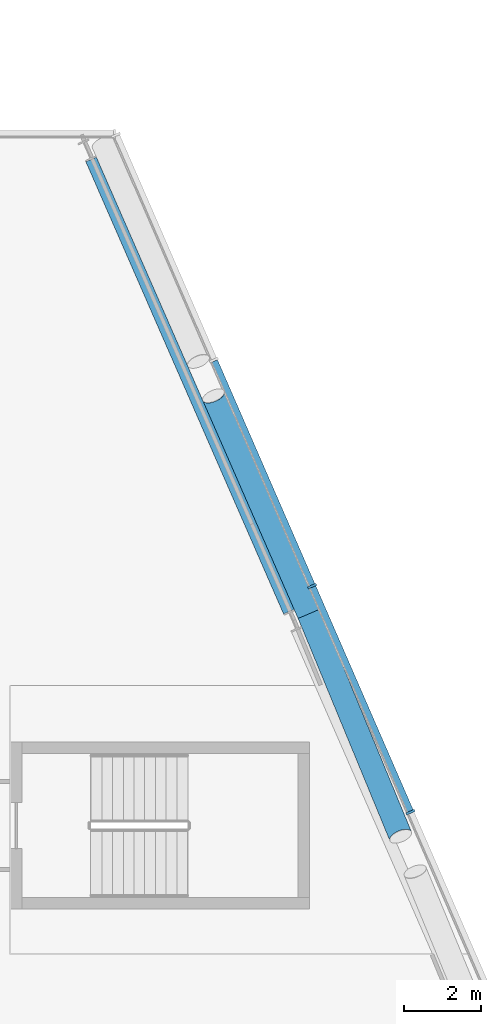
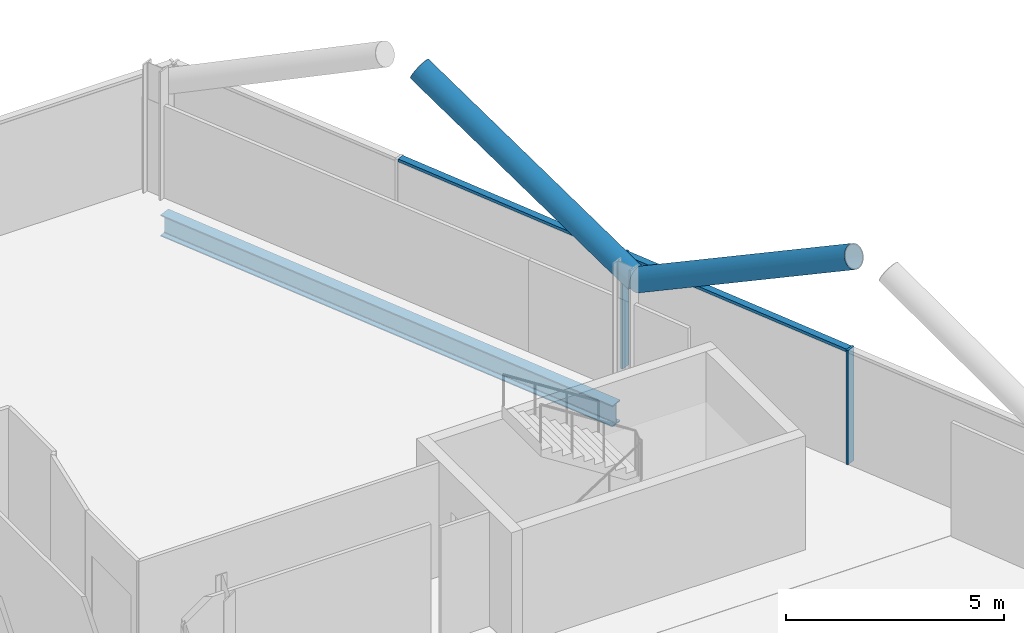
# One storey, part 9 of 25: 6 members, 1 beam, 1 element without a shape of its own.
"""IFC4 building model written with IfcOpenShell, lengths in metres."""

from ifc_helpers import new_model, si_unit, direction, frame, origin, origin_2d, place, context, subcontext, project, spatial, rectangle, hollow_circle, i_section, extrude, material, material_profile, profile_set, type_object, element, aggregate, save


model = new_model("IFC4")

# Units and contexts
model_context = context("Model", 3, precision=1e-05, world=origin(), true_north=direction((0.0, 1.0)))
body_context = subcontext(model_context, "Body", "Model", "MODEL_VIEW")
ifc_project = project(units=[si_unit("LENGTHUNIT", "METRE"), si_unit("AREAUNIT", "SQUARE_METRE"), si_unit("VOLUMEUNIT", "CUBIC_METRE"), si_unit("PLANEANGLEUNIT", "RADIAN"), si_unit("MASSUNIT", "GRAM", prefix="KILO")], contexts=[model_context])

# Site, building, storey
site_placement = place(None, origin())
site = spatial("IfcSite", under=ifc_project, at=site_placement, CompositionType="ELEMENT")
building_placement = place(site_placement, origin())
building = spatial("IfcBuilding", under=site, at=building_placement, Name="Wharfspan Tower", CompositionType="ELEMENT")
storey_placement = place(building_placement, frame((0.0, 0.0, 232.300049)))
storey = spatial("IfcBuildingStorey", under=building, at=storey_placement, Name="L58", CompositionType="ELEMENT", Elevation=232.300049)

# Beam
ifc_material_1 = material(Name="Steel S355J2", Category="steel")
ifc_material_profile_1 = material_profile(ifc_material_1, i_section(OverallWidth=0.300049, OverallDepth=0.600098, WebThickness=0.015381, FlangeThickness=0.030029, FilletRadius=0.0271, at=origin_2d()))
ifc_profile_set_1 = profile_set([ifc_material_profile_1], Name="Steel S355J2")
beam_type = type_object("IfcBeamType", Name="Edge beam HEB 600", PredefinedType="SPANDREL", material=ifc_profile_set_1)
beam_placement = place(storey_placement, frame((74.13208, 29.53125, -0.699951), z_axis=(-0.400619, 0.916245, 0.0), x_axis=(-0.916245, -0.400619, 0.0)))
element("IfcBeam", 1, at=beam_placement, inside=storey, type_object=beam_type, Name="Edge beam E L58 PE.2 to PE.3", PredefinedType="SPANDREL", context=body_context, shape_type="SweptSolid", body=[
    extrude(i_section(OverallWidth=0.300049, OverallDepth=0.600098, WebThickness=0.015381, FlangeThickness=0.030029, FilletRadius=0.0271, at=origin_2d()), origin(), (0.0, 0.0, 1.0), 12.883545),
])

# Curtain wall, members
ifc_material_2 = material(Name="Aluminium 6063-T6", Category="aluminium")
curtain_wall_type = type_object("IfcCurtainWallType", Name="CURTAIN WALL PROW AND END", PredefinedType="NOTDEFINED", material=ifc_material_2)
curtain_wall_placement = place(storey_placement, origin())
curtain_wall = element("IfcCurtainWall", 2, at=curtain_wall_placement, inside=storey, type_object=curtain_wall_type, Name="Curtain wall E", PredefinedType="NOTDEFINED")
ifc_material_profile_2 = material_profile(ifc_material_2, rectangle(XDim=0.23999, YDim=0.060059, at=origin_2d()))
ifc_profile_set_2 = profile_set([ifc_material_profile_2], Name="Aluminium 6063-T6")
member_type_1 = type_object("IfcMemberType", Name="MULLION PROW AND END 60x240", PredefinedType="MULLION", material=ifc_profile_set_2)
member_1_placement = place(storey_placement, frame((77.304443, 24.300049, 0.0), z_axis=(0.0, 0.0, 1.0), x_axis=(-0.917072, -0.398727, 0.0)))
member_1 = element("IfcMember", 3, at=member_1_placement, type_object=member_type_1, Name="Curtain wall E mullion 4", PredefinedType="MULLION", context=body_context, shape_type="SweptSolid", body=[
    extrude(rectangle(XDim=0.23999, YDim=0.060059, at=origin_2d()), origin(), (0.0, 0.0, 1.0), 3.199951),
])
member_2_placement = place(storey_placement, frame((74.739014, 30.199951, 0.0), z_axis=(0.0, 0.0, 1.0), x_axis=(-0.917072, -0.398727, 0.0)))
member_2 = element("IfcMember", 4, at=member_2_placement, type_object=member_type_1, Name="Curtain wall E mullion 5", PredefinedType="MULLION", context=body_context, shape_type="SweptSolid", body=[
    extrude(rectangle(XDim=0.23999, YDim=0.060059, at=origin_2d()), origin(), (0.0, 0.0, 1.0), 3.199951),
])

# Members
ifc_material_3 = material(Name="Steel S460NH", Category="steel")
ifc_material_profile_3 = material_profile(ifc_material_3, hollow_circle(Radius=0.304932, WallThickness=0.024902, at=origin_2d()))
ifc_profile_set_3 = profile_set([ifc_material_profile_3], Name="Steel S460NH")
member_type_2 = type_object("IfcMemberType", Name="Mega brace CHS 610x25", PredefinedType="BRACE", material=ifc_profile_set_3)
member_3_placement = place(storey_placement, frame((74.652588, 29.476318, 2.899902), z_axis=(0.337032, -0.816367, 0.468993), x_axis=(0.92433, 0.381605, 2e-06)))
element("IfcMember", 5, at=member_3_placement, inside=storey, type_object=member_type_2, Name="Mega brace E5 L59 part 3", PredefinedType="BRACE", context=body_context, shape_type="SweptSolid", body=[
    extrude(hollow_circle(Radius=0.304932, WallThickness=0.024902, at=origin_2d()), origin(), (0.0, 0.0, 1.0), 7.106201),
])
member_4_placement = place(storey_placement, frame((74.652588, 29.476318, 2.899902), z_axis=(-0.352883, 0.8071, 0.473353), x_axis=(-0.916253, -0.400609, 3e-06)))
element("IfcMember", 6, at=member_4_placement, inside=storey, type_object=member_type_2, Name="Mega brace E6 L59 part 1", PredefinedType="BRACE", context=body_context, shape_type="SweptSolid", body=[
    extrude(hollow_circle(Radius=0.304932, WallThickness=0.024902, at=origin_2d()), origin(), (0.0, 0.0, 1.0), 7.042236),
])

# Member
ifc_material_profile_4 = material_profile(ifc_material_2, rectangle(XDim=0.179932, YDim=0.080078, at=origin_2d()))
ifc_profile_set_4 = profile_set([ifc_material_profile_4], Name="Aluminium 6063-T6")
member_type_3 = type_object("IfcMemberType", Name="TRANSOM PROW AND END 80x180", PredefinedType="USERDEFINED", material=ifc_profile_set_4)
member_5_placement = place(storey_placement, frame((77.29248, 24.327393, 3.159912), z_axis=(-0.39874, 0.917064, 0.0), x_axis=(-0.917064, -0.39874, 0.0)))
member_5 = element("IfcMember", 7, at=member_5_placement, type_object=member_type_3, Name="Curtain wall E transom 4", ObjectType="TRANSOM", PredefinedType="USERDEFINED", context=body_context, shape_type="SweptSolid", body=[
    extrude(rectangle(XDim=0.179932, YDim=0.080078, at=origin_2d()), origin(), (0.0, 0.0, 1.0), 6.373779),
])

member_6_placement = place(storey_placement, frame((74.727051, 30.227539, 3.159912), z_axis=(-0.398722, 0.917072, 0.0), x_axis=(-0.917072, -0.398722, 0.0)))
member_6 = element("IfcMember", 8, at=member_6_placement, type_object=member_type_3, Name="Curtain wall E transom 5", ObjectType="TRANSOM", PredefinedType="USERDEFINED", context=body_context, shape_type="SweptSolid", body=[
    extrude(rectangle(XDim=0.179932, YDim=0.080078, at=origin_2d()), origin(), (0.0, 0.0, 1.0), 6.373535),
])

aggregate(curtain_wall, [member_1, member_2, member_5, member_6])

save(model, "model.ifc")
